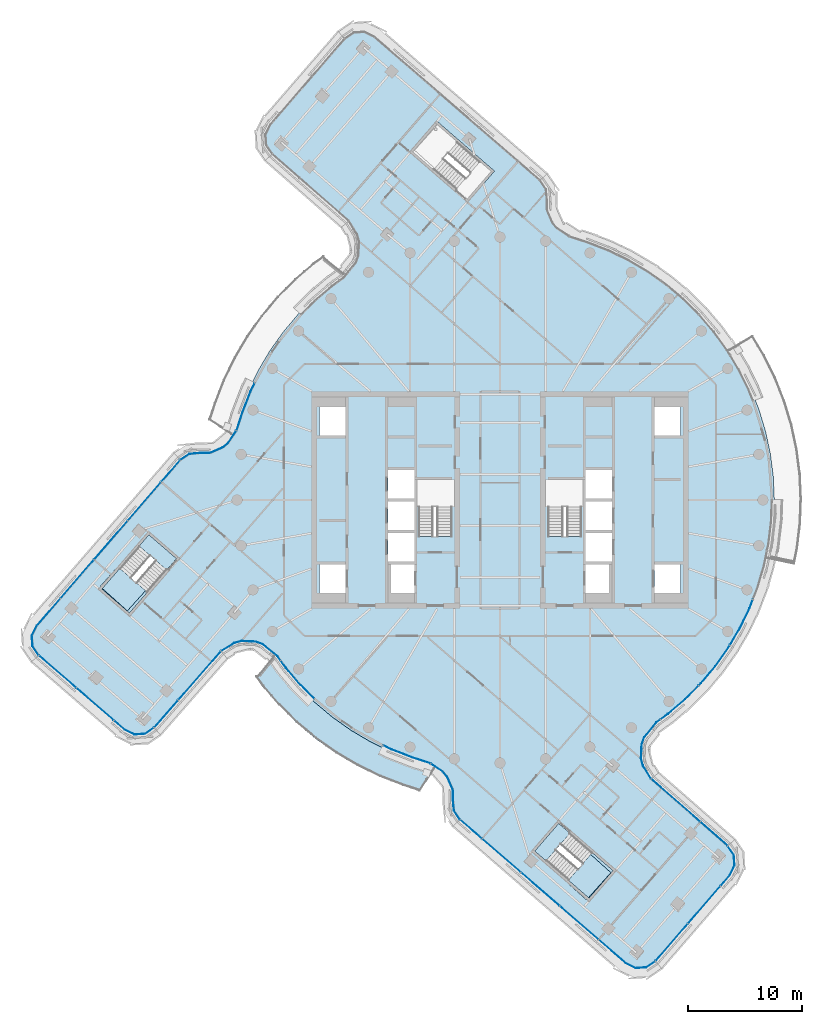
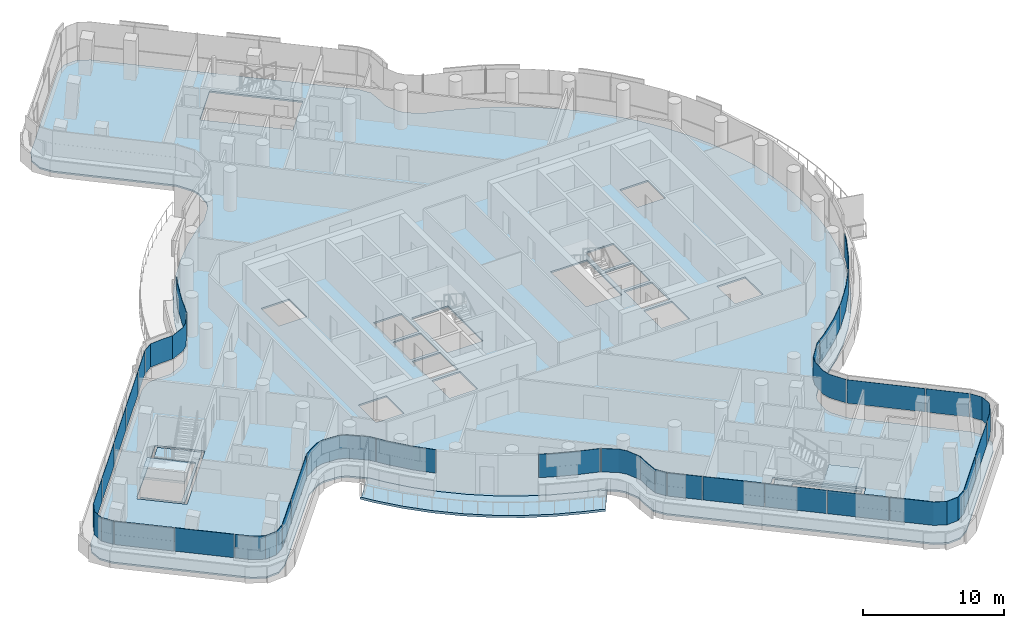
# One storey, part 17 of 32: 30 plates, 6 slabs, 11 elements without a shape of their own.
"""IFC4 building model written with IfcOpenShell, lengths in metres."""

from ifc_helpers import new_model, si_unit, direction, frame, origin, place, context, subcontext, project, spatial, polyline, outline, extrude, material, layer, layer_set, type_object, element, aggregate, save


model = new_model("IFC4")

# Units and contexts
model_context = context("Model", 3, precision=1e-05, world=origin(), true_north=direction((0.0, 1.0)))
body_context = subcontext(model_context, "Body", "Model", "MODEL_VIEW")
ifc_project = project(units=[si_unit("LENGTHUNIT", "METRE"), si_unit("AREAUNIT", "SQUARE_METRE"), si_unit("VOLUMEUNIT", "CUBIC_METRE"), si_unit("PLANEANGLEUNIT", "RADIAN"), si_unit("MASSUNIT", "GRAM", prefix="KILO")], contexts=[model_context])

# Site, building, storey
site_placement = place(None, origin())
site = spatial("IfcSite", under=ifc_project, at=site_placement, CompositionType="ELEMENT")
building_placement = place(site_placement, origin())
building = spatial("IfcBuilding", under=site, at=building_placement, Name="Tamarind Cross Interchange Tower", CompositionType="ELEMENT")
storey_placement = place(building_placement, frame((0.0, 0.0, 211.300048828125)))
storey = spatial("IfcBuildingStorey", under=building, at=storey_placement, Name="L53", CompositionType="ELEMENT", Elevation=211.300048828125)

# Slabs
ifc_material_1 = material(Name="Precast concrete C40", Category="concrete")
ifc_layer_1 = layer(ifc_material_1, 0.199951171875)
ifc_layer_set_1 = layer_set([ifc_layer_1], Name="Precast concrete C40")
slab_type_1 = type_object("IfcSlabType", Name="Balcony slab", PredefinedType="BASESLAB", material=ifc_layer_set_1)
slab_1_placement = place(storey_placement, frame((0.0, 0.0, -0.199951171875)))
element("IfcSlab", 1, at=slab_1_placement, inside=storey, type_object=slab_type_1, Name="SLB-L53-BAL02", PredefinedType="BASESLAB", context=body_context, shape_type="SweptSolid", body=[
    extrude(outline(polyline([(-19.7607421875, -13.683837890625), (-19.604736328125, -13.809326171875), (-18.87255859375, -14.820068359375), (-17.584228515625, -16.327880859375), (-16.17578125, -17.72412109375), (-14.656982421875, -18.99951171875), (-13.0380859375, -20.14501953125), (-11.329833984375, -21.15283203125), (-9.54443359375, -22.01611328125), (-7.69384765625, -22.72900390625), (-6.205322265625, -23.21533203125), (-5.78662109375, -23.488525390625), (-7.098388671875, -25.498291015625), (-7.251708984375, -25.398193359375), (-8.498291015625, -24.9912109375), (-10.499755859375, -24.219970703125), (-12.464111328125, -23.270263671875), (-14.343017578125, -22.161376953125), (-16.124267578125, -20.9013671875), (-17.795166015625, -19.498291015625), (-19.344482421875, -17.96240234375), (-20.759765625, -16.305908203125), (-21.359375, -15.47802734375), (-21.264404296875, -15.554443359375), (-19.7607421875, -13.683837890625)])), origin(), (0.0, 0.0, 1.0), 0.199951171875),
])
ifc_material_2 = material(Name="Concrete C35", Category="concrete")
ifc_layer_2 = layer(ifc_material_2, 0.139892578125)
ifc_layer_set_2 = layer_set([ifc_layer_2], Name="Concrete C35")
slab_type_2 = type_object("IfcSlabType", Name="Composite slab 140 Concrete C35", PredefinedType="FLOOR", material=ifc_layer_set_2)
slab_2_placement = place(storey_placement, frame((0.0, 0.0, -0.14013671875)))
element("IfcSlab", 2, at=slab_2_placement, inside=storey, type_object=slab_type_2, Name="Floor slab L53", PredefinedType="FLOOR", context=body_context, shape_type="SweptSolid", body=[
    extrude(outline(polyline([(-27.27099609375, 4.21728515625), (-28.102783203125, 3.64599609375), (-40.703125, -10.9033203125), (-41.1552734375, -11.834716796875), (-41.081298828125, -12.8671875), (-40.500732421875, -13.724609375), (-32.94140625, -20.271240234375), (-32.010009765625, -20.723388671875), (-30.9775390625, -20.649169921875), (-30.120361328125, -20.068603515625), (-24.2734375, -13.385986328125), (-23.14697265625, -12.686279296875), (-22.5859375, -12.540283203125), (-21.413818359375, -12.595458984375), (-20.86865234375, -12.793212890625), (-19.604736328125, -13.80908203125), (-18.87255859375, -14.820068359375), (-17.584228515625, -16.327880859375), (-16.17578125, -17.72412109375), (-14.656982421875, -18.99951171875), (-13.0380859375, -20.14501953125), (-11.329833984375, -21.15283203125), (-9.54443359375, -22.01611328125), (-7.693603515625, -22.72900390625), (-6.205322265625, -23.215087890625), (-5.138671875, -23.911376953125), (-4.77783203125, -24.336669921875), (-4.323486328125, -25.36865234375), (-4.31005859375, -26.26611328125), (-4.21728515625, -27.27099609375), (-3.64599609375, -28.102783203125), (10.9033203125, -40.703125), (11.834716796875, -41.1552734375), (12.8671875, -41.081298828125), (13.724609375, -40.500732421875), (20.271240234375, -32.94140625), (20.723388671875, -32.010009765625), (20.649169921875, -30.9775390625), (20.068603515625, -30.120361328125), (13.385986328125, -24.2734375), (12.686279296875, -23.14697265625), (12.540283203125, -22.5859375), (12.595458984375, -21.413818359375), (12.793212890625, -20.86865234375), (13.80908203125, -19.604736328125), (14.820068359375, -18.87255859375), (16.327880859375, -17.584228515625), (17.72412109375, -16.17578125), (18.99951171875, -14.656982421875), (20.14501953125, -13.0380859375), (21.15283203125, -11.329833984375), (22.01611328125, -9.54443359375), (22.72900390625, -7.693603515625), (23.286865234375, -5.79052734375), (23.685546875, -3.84765625), (23.92236328125, -1.878662109375), (23.99560546875, 0.103271484375), (23.9052734375, 2.08447265625), (23.651611328125, 4.051513671875), (23.236083984375, 5.99072265625), (22.662109375, 7.88916015625), (21.93310546875, 9.7333984375), (21.054443359375, 11.511474609375), (20.031982421875, 13.2109375), (18.87255859375, 14.820068359375), (17.584228515625, 16.327880859375), (16.17578125, 17.72412109375), (14.656982421875, 18.99951171875), (13.0380859375, 20.14501953125), (11.329833984375, 21.15283203125), (9.54443359375, 22.01611328125), (7.693603515625, 22.72900390625), (6.205322265625, 23.215087890625), (5.138671875, 23.911376953125), (4.77783203125, 24.336669921875), (4.323486328125, 25.36865234375), (4.31005859375, 26.26611328125), (4.21728515625, 27.27099609375), (3.64599609375, 28.102783203125), (-10.9033203125, 40.703125), (-11.834716796875, 41.1552734375), (-12.8671875, 41.081298828125), (-13.724609375, 40.500732421875), (-20.271240234375, 32.94140625), (-20.723388671875, 32.010009765625), (-20.649169921875, 30.9775390625), (-20.068603515625, 30.120361328125), (-13.385986328125, 24.2734375), (-12.686279296875, 23.14697265625), (-12.540283203125, 22.5859375), (-12.595458984375, 21.413818359375), (-12.793212890625, 20.86865234375), (-13.80908203125, 19.604736328125), (-14.820068359375, 18.87255859375), (-16.327880859375, 17.584228515625), (-17.72412109375, 16.17578125), (-18.99951171875, 14.656982421875), (-20.14501953125, 13.0380859375), (-21.15283203125, 11.329833984375), (-22.01611328125, 9.54443359375), (-22.72900390625, 7.693603515625), (-23.215087890625, 6.205322265625), (-23.911376953125, 5.138671875), (-24.336669921875, 4.77783203125), (-25.36865234375, 4.323486328125), (-26.26611328125, 4.31005859375), (-27.27099609375, 4.21728515625)]), holes=[polyline([(-30.58349609375, -2.884765625), (-28.164794921875, -4.9794921875), (-28.013427734375, -5.110595703125), (-32.39990234375, -10.17529296875), (-32.551025390625, -10.044189453125), (-34.969970703125, -7.94921875), (-35.12109375, -7.818359375), (-34.934326171875, -7.602783203125), (-34.97900390625, -7.562744140625), (-32.780517578125, -5.11572265625), (-30.73486328125, -2.75390625), (-30.58349609375, -2.884765625)]), polyline([(-13.5, -8.125), (-15.800048828125, -8.125), (-15.800048828125, -5.625), (-13.5, -5.625), (-13.5, -8.125)]), polyline([(-7.5, -8.125), (-9.800048828125, -8.125), (-9.800048828125, -5.625), (-7.5, -5.625), (-7.5, -8.125)]), polyline([(-7.5, -5.375), (-9.800048828125, -5.375), (-9.800048828125, -2.875), (-7.5, -2.875), (-7.5, -5.375)]), polyline([(-7.5, -2.625), (-9.800048828125, -2.625), (-9.800048828125, -0.125), (-7.5, -0.125), (-7.5, -2.625)]), polyline([(-4.199951171875, 1.800048828125), (-4.199951171875, -3.18798828125), (-7.14990234375, -3.18798828125), (-7.14990234375, 1.800048828125), (-4.199951171875, 1.800048828125)]), polyline([(-7.5, 0.125), (-9.800048828125, 0.125), (-9.800048828125, 2.625), (-7.5, 2.625), (-7.5, 0.125)]), polyline([(-13.5, 5.625), (-15.800048828125, 5.625), (-15.800048828125, 8.125), (-13.5, 8.125), (-13.5, 5.625)]), polyline([(-0.616943359375, 28.61962890625), (-2.7119140625, 26.20068359375), (-2.8427734375, 26.049560546875), (-7.907470703125, 30.435791015625), (-7.776611328125, 30.5869140625), (-5.681640625, 33.005859375), (-5.550537109375, 33.156982421875), (-5.334716796875, 32.97021484375), (-5.331298828125, 32.97412109375), (-5.11572265625, 32.780517578125), (-0.486083984375, 28.770751953125), (-0.616943359375, 28.61962890625)]), polyline([(10.17529296875, -32.39990234375), (10.044189453125, -32.551025390625), (7.94921875, -34.969970703125), (7.818359375, -35.12109375), (7.602783203125, -34.934326171875), (7.562744140625, -34.97900390625), (5.11572265625, -32.780517578125), (2.75390625, -30.73486328125), (2.884765625, -30.58349609375), (4.9794921875, -28.164794921875), (5.110595703125, -28.013427734375), (10.17529296875, -32.39990234375)]), polyline([(7.5, -5.625), (9.800048828125, -5.625), (9.800048828125, -8.125), (7.5, -8.125), (7.5, -5.625)]), polyline([(13.5, -5.625), (15.800048828125, -5.625), (15.800048828125, -8.125), (13.5, -8.125), (13.5, -5.625)]), polyline([(7.5, -2.875), (9.800048828125, -2.875), (9.800048828125, -5.375), (7.5, -5.375), (7.5, -2.875)]), polyline([(7.5, -0.125), (9.800048828125, -0.125), (9.800048828125, -2.625), (7.5, -2.625), (7.5, -0.125)]), polyline([(7.14990234375, 1.800048828125), (7.14990234375, -3.18798828125), (4.199951171875, -3.18798828125), (4.199951171875, 1.800048828125), (7.14990234375, 1.800048828125)]), polyline([(7.5, 2.625), (9.800048828125, 2.625), (9.800048828125, 0.125), (7.5, 0.125), (7.5, 2.625)]), polyline([(13.5, 8.125), (15.800048828125, 8.125), (15.800048828125, 5.625), (13.5, 5.625), (13.5, 8.125)])]), origin(), (0.0, 0.0, 1.0), 0.14013671875),
])
slab_3_placement = place(storey_placement, frame((0.0, 0.0, -0.14013671875)))
element("IfcSlab", 3, at=slab_3_placement, inside=storey, type_object=slab_type_2, Name="Floor slab L53", PredefinedType="FLOOR", context=body_context, shape_type="SweptSolid", body=[
    extrude(outline(polyline([(-34.839111328125, -7.798095703125), (-32.419921875, -9.89306640625), (-28.295654296875, -5.130859375), (-30.714599609375, -3.035888671875), (-31.573486328125, -4.027587890625), (-29.283203125, -6.01123046875), (-32.5986328125, -9.701416015625), (-34.78564453125, -7.736572265625), (-34.839111328125, -7.798095703125)])), origin(), (0.0, 0.0, 1.0), 0.14013671875),
])
slab_4_placement = place(storey_placement, frame((0.0, 0.0, -0.14013671875)))
element("IfcSlab", 4, at=slab_4_placement, inside=storey, type_object=slab_type_2, Name="Floor slab L53", PredefinedType="FLOOR", context=body_context, shape_type="SweptSolid", body=[
    extrude(outline(polyline([(7.736572265625, -34.78564453125), (7.798095703125, -34.839111328125), (9.89306640625, -32.419921875), (5.130859375, -28.295654296875), (3.035888671875, -30.714599609375), (4.027587890625, -31.573486328125), (6.01123046875, -29.283203125), (9.701416015625, -32.5986328125), (7.736572265625, -34.78564453125)])), origin(), (0.0, 0.0, 1.0), 0.14013671875),
])

# Stair, slab
ifc_material_3 = material(Name="Exit stair")
stair_type = type_object("IfcStairType", Name="Exit stair", PredefinedType="HALF_TURN_STAIR", material=ifc_material_3)
stair_1_placement = place(storey_placement, origin())
stair_1 = element("IfcStair", 5, at=stair_1_placement, inside=storey, type_object=stair_type, Name="L53 exit stair ST5", PredefinedType="HALF_TURN_STAIR")
ifc_material_4 = material(Name="Concrete C40", Category="concrete")
ifc_layer_3 = layer(ifc_material_4, 0.199951171875)
ifc_layer_set_3 = layer_set([ifc_layer_3], Name="Concrete C40")
slab_type_3 = type_object("IfcSlabType", Name="Stair landing", PredefinedType="LANDING", material=ifc_layer_set_3)
slab_5_placement = place(storey_placement, frame((0.0, 0.0, 1.599853515625)))
slab_5 = element("IfcSlab", 6, at=slab_5_placement, type_object=slab_type_3, Name="ST5 landing 1", PredefinedType="LANDING", context=body_context, shape_type="SweptSolid", body=[
    extrude(outline(polyline([(-33.260009765625, -5.974853515625), (-34.8388671875, -7.798095703125), (-32.419921875, -9.89306640625), (-30.841064453125, -8.06982421875), (-33.260009765625, -5.974853515625)])), origin(), (0.0, 0.0, 1.0), 0.2001953125),
])
aggregate(stair_1, [slab_5])

stair_2_placement = place(storey_placement, origin())
stair_2 = element("IfcStair", 7, at=stair_2_placement, inside=storey, type_object=stair_type, Name="L53 exit stair ST6", PredefinedType="HALF_TURN_STAIR")
slab_6_placement = place(storey_placement, frame((0.0, 0.0, 1.599853515625)))
slab_6 = element("IfcSlab", 8, at=slab_6_placement, type_object=slab_type_3, Name="ST6 landing 1", PredefinedType="LANDING", context=body_context, shape_type="SweptSolid", body=[
    extrude(outline(polyline([(5.974853515625, -33.260009765625), (7.798095703125, -34.8388671875), (9.89306640625, -32.419921875), (8.06982421875, -30.841064453125), (5.974853515625, -33.260009765625)])), origin(), (0.0, 0.0, 1.0), 0.2001953125),
])
aggregate(stair_2, [slab_6])

# Curtain wall, plates
ifc_material_5 = material(Name="Aluminium 6063-T6", Category="aluminium")
ifc_layer_4 = layer(ifc_material_5, 0.139892578125)
ifc_layer_set_4 = layer_set([ifc_layer_4], Name="Aluminium 6063-T6")
curtain_wall_type = type_object("IfcCurtainWallType", Name="Hotel curtain wall, 4.5 m bays", PredefinedType="NOTDEFINED", material=ifc_layer_set_4)
curtain_wall_1_placement = place(storey_placement, origin())
curtain_wall_1 = element("IfcCurtainWall", 9, at=curtain_wall_1_placement, inside=storey, type_object=curtain_wall_type, Name="CWS-L53-00", PredefinedType="NOTDEFINED")
ifc_material_6 = material(Name="Laminated low-e glass 6+1.52+6", Category="glass")
ifc_layer_5 = layer(ifc_material_6, 0.02392578125)
ifc_layer_set_5 = layer_set([ifc_layer_5], Name="Laminated low-e glass 6+1.52+6")
plate_type = type_object("IfcPlateType", Name="Vision panel CW2", PredefinedType="CURTAIN_PANEL", material=ifc_layer_set_5)
plate_1_placement = place(storey_placement, frame((0.0, 0.0, 1.39990234375)))
plate_1 = element("IfcPlate", 10, at=plate_1_placement, type_object=plate_type, Name="CWP-L53-00-00", PredefinedType="CURTAIN_PANEL", context=body_context, shape_type="SweptSolid", body=[
    extrude(outline(polyline([(-40.3193359375, -13.60107421875), (-37.079833984375, -16.40673828125), (-37.095458984375, -16.4248046875), (-40.3349609375, -13.619140625), (-40.3193359375, -13.60107421875)])), origin(), (0.0, 0.0, 1.0), 2.02001953125),
])
plate_2_placement = place(storey_placement, frame((0.0, 0.0, 1.39990234375)))
plate_2 = element("IfcPlate", 11, at=plate_2_placement, type_object=plate_type, Name="CWP-L53-00-01", PredefinedType="CURTAIN_PANEL", context=body_context, shape_type="SweptSolid", body=[
    extrude(outline(polyline([(-37.034423828125, -16.446044921875), (-33.794921875, -19.251708984375), (-33.810546875, -19.269775390625), (-37.050048828125, -16.464111328125), (-37.034423828125, -16.446044921875)])), origin(), (0.0, 0.0, 1.0), 2.02001953125),
])
plate_3_placement = place(storey_placement, frame((0.0, 0.0, 1.39990234375)))
plate_3 = element("IfcPlate", 12, at=plate_3_placement, type_object=plate_type, Name="CWP-L53-00-02", PredefinedType="CURTAIN_PANEL", context=body_context, shape_type="SweptSolid", body=[
    extrude(outline(polyline([(-33.74951171875, -19.291015625), (-32.82373046875, -20.092529296875), (-31.96875, -20.5078125), (-31.04931640625, -20.441650390625), (-30.285400390625, -19.92431640625), (-30.27197265625, -19.9443359375), (-31.041259765625, -20.46533203125), (-31.973388671875, -20.5322265625), (-32.837158203125, -20.11279296875), (-33.76513671875, -19.30908203125), (-33.74951171875, -19.291015625)])), origin(), (0.0, 0.0, 1.0), 2.02001953125),
])
aggregate(curtain_wall_1, [plate_1, plate_2, plate_3])

curtain_wall_2_placement = place(storey_placement, origin())
curtain_wall_2 = element("IfcCurtainWall", 13, at=curtain_wall_2_placement, inside=storey, type_object=curtain_wall_type, Name="CWS-L53-01", PredefinedType="NOTDEFINED")
plate_4_placement = place(storey_placement, frame((0.0, 0.0, 1.39990234375)))
plate_4 = element("IfcPlate", 14, at=plate_4_placement, type_object=plate_type, Name="CWP-L53-01-00", PredefinedType="CURTAIN_PANEL", context=body_context, shape_type="SweptSolid", body=[
    extrude(outline(polyline([(-30.2431640625, -19.886962890625), (-28.18359375, -17.533203125), (-28.16552734375, -17.548828125), (-30.22509765625, -19.90283203125), (-30.2431640625, -19.886962890625)])), origin(), (0.0, 0.0, 1.0), 2.02001953125),
])
plate_5_placement = place(storey_placement, frame((0.0, 0.0, 1.39990234375)))
plate_5 = element("IfcPlate", 15, at=plate_5_placement, type_object=plate_type, Name="CWP-L53-01-01", PredefinedType="CURTAIN_PANEL", context=body_context, shape_type="SweptSolid", body=[
    extrude(outline(polyline([(-28.14404296875, -17.488037109375), (-24.43310546875, -13.24658203125), (-24.4150390625, -13.26220703125), (-28.1259765625, -17.503662109375), (-28.14404296875, -17.488037109375)])), origin(), (0.0, 0.0, 1.0), 2.02001953125),
])
aggregate(curtain_wall_2, [plate_4, plate_5])

curtain_wall_3_placement = place(storey_placement, origin())
curtain_wall_3 = element("IfcCurtainWall", 16, at=curtain_wall_3_placement, inside=storey, type_object=curtain_wall_type, Name="CWS-L53-02", PredefinedType="NOTDEFINED")
plate_6_placement = place(storey_placement, frame((0.0, 0.0, 1.39990234375)))
plate_6 = element("IfcPlate", 17, at=plate_6_placement, type_object=plate_type, Name="CWP-L53-02-00", PredefinedType="CURTAIN_PANEL", context=body_context, shape_type="SweptSolid", body=[
    extrude(outline(polyline([(-24.38525390625, -13.205810546875), (-23.2314453125, -12.4892578125), (-22.608154296875, -12.3271484375), (-21.37158203125, -12.385009765625), (-20.763427734375, -12.60595703125), (-19.44970703125, -13.661865234375), (-19.205322265625, -13.999267578125), (-19.224853515625, -14.01318359375), (-19.46728515625, -13.678466796875), (-20.775146484375, -12.627197265625), (-21.37646484375, -12.408935546875), (-22.60546875, -12.351318359375), (-23.221923828125, -12.51171875), (-24.37255859375, -13.226318359375), (-24.38525390625, -13.205810546875)])), origin(), (0.0, 0.0, 1.0), 2.02001953125),
])
plate_7_placement = place(storey_placement, frame((0.0, 0.0, 1.39990234375)))
plate_7 = element("IfcPlate", 18, at=plate_7_placement, type_object=plate_type, Name="CWP-L53-02-01", PredefinedType="CURTAIN_PANEL", context=body_context, shape_type="SweptSolid", body=[
    extrude(outline(polyline([(-19.170166015625, -14.0478515625), (-18.705810546875, -14.688720703125), (-17.4287109375, -16.183349609375), (-16.244873046875, -17.357177734375), (-16.26171875, -17.374267578125), (-17.4462890625, -16.19970703125), (-18.724853515625, -14.70361328125), (-19.189453125, -14.061767578125), (-19.170166015625, -14.0478515625)])), origin(), (0.0, 0.0, 1.0), 2.02001953125),
])
plate_8_placement = place(storey_placement, frame((0.0, 0.0, 1.39990234375)))
plate_8 = element("IfcPlate", 19, at=plate_8_placement, type_object=plate_type, Name="CWP-L53-02-03", PredefinedType="CURTAIN_PANEL", context=body_context, shape_type="SweptSolid", body=[
    extrude(outline(polyline([(-10.216064453125, -21.455810546875), (-9.4599609375, -21.821533203125), (-7.62255859375, -22.529296875), (-6.11279296875, -23.0224609375), (-6.0791015625, -23.04443359375), (-6.092041015625, -23.064697265625), (-6.123291015625, -23.044189453125), (-7.630615234375, -22.552001953125), (-9.469482421875, -21.843505859375), (-10.2265625, -21.4775390625), (-10.216064453125, -21.455810546875)])), origin(), (0.0, 0.0, 1.0), 2.02001953125),
])
plate_9_placement = place(storey_placement, frame((0.0, 0.0, 1.39990234375)))
plate_9 = element("IfcPlate", 20, at=plate_9_placement, type_object=plate_type, Name="CWP-L53-02-04", PredefinedType="CURTAIN_PANEL", context=body_context, shape_type="SweptSolid", body=[
    extrude(outline(polyline([(-6.02880859375, -23.077392578125), (-4.996826171875, -23.750732421875), (-4.59619140625, -24.22314453125), (-4.112060546875, -25.322509765625), (-4.09814453125, -26.2548828125), (-4.01123046875, -27.196533203125), (-3.502685546875, -27.936767578125), (-3.5224609375, -27.950439453125), (-4.03466796875, -27.204833984375), (-4.1220703125, -26.256103515625), (-4.135986328125, -25.32763671875), (-4.61669921875, -24.23583984375), (-5.012939453125, -23.76904296875), (-6.0419921875, -23.097412109375), (-6.02880859375, -23.077392578125)])), origin(), (0.0, 0.0, 1.0), 2.02001953125),
])
aggregate(curtain_wall_3, [plate_6, plate_7, plate_8, plate_9])

curtain_wall_4_placement = place(storey_placement, origin())
curtain_wall_4 = element("IfcCurtainWall", 21, at=curtain_wall_4_placement, inside=storey, type_object=curtain_wall_type, Name="CWS-L53-03", PredefinedType="NOTDEFINED")
plate_10_placement = place(storey_placement, frame((0.0, 0.0, 1.39990234375)))
plate_10 = element("IfcPlate", 22, at=plate_10_placement, type_object=plate_type, Name="CWP-L53-03-00", PredefinedType="CURTAIN_PANEL", context=body_context, shape_type="SweptSolid", body=[
    extrude(outline(polyline([(-3.465087890625, -27.978759765625), (-1.579833984375, -29.611572265625), (-1.595703125, -29.629638671875), (-3.480712890625, -27.9970703125), (-3.465087890625, -27.978759765625)])), origin(), (0.0, 0.0, 1.0), 2.02001953125),
])
plate_11_placement = place(storey_placement, frame((0.0, 0.0, 1.39990234375)))
plate_11 = element("IfcPlate", 23, at=plate_11_placement, type_object=plate_type, Name="CWP-L53-03-01", PredefinedType="CURTAIN_PANEL", context=body_context, shape_type="SweptSolid", body=[
    extrude(outline(polyline([(-1.53466796875, -29.65087890625), (1.8125, -32.549560546875), (1.796875, -32.567626953125), (-1.55029296875, -29.6689453125), (-1.53466796875, -29.65087890625)])), origin(), (0.0, 0.0, 1.0), 2.02001953125),
])
plate_12_placement = place(storey_placement, frame((0.0, 0.0, 1.39990234375)))
plate_12 = element("IfcPlate", 24, at=plate_12_placement, type_object=plate_type, Name="CWP-L53-03-02", PredefinedType="CURTAIN_PANEL", context=body_context, shape_type="SweptSolid", body=[
    extrude(outline(polyline([(1.85791015625, -32.5888671875), (5.205078125, -35.487548828125), (5.189208984375, -35.505859375), (1.84228515625, -32.60693359375), (1.85791015625, -32.5888671875)])), origin(), (0.0, 0.0, 1.0), 2.02001953125),
])
plate_13_placement = place(storey_placement, frame((0.0, 0.0, 1.39990234375)))
plate_13 = element("IfcPlate", 25, at=plate_13_placement, type_object=plate_type, Name="CWP-L53-03-03", PredefinedType="CURTAIN_PANEL", context=body_context, shape_type="SweptSolid", body=[
    extrude(outline(polyline([(5.250244140625, -35.52685546875), (8.597412109375, -38.42578125), (8.581787109375, -38.44384765625), (5.234619140625, -35.545166015625), (5.250244140625, -35.52685546875)])), origin(), (0.0, 0.0, 1.0), 2.02001953125),
])
plate_14_placement = place(storey_placement, frame((0.0, 0.0, 1.39990234375)))
plate_14 = element("IfcPlate", 26, at=plate_14_placement, type_object=plate_type, Name="CWP-L53-03-04", PredefinedType="CURTAIN_PANEL", context=body_context, shape_type="SweptSolid", body=[
    extrude(outline(polyline([(8.642822265625, -38.46484375), (11.02099609375, -40.524658203125), (11.876220703125, -40.939697265625), (12.79541015625, -40.873779296875), (13.55908203125, -40.356689453125), (13.572509765625, -40.37646484375), (12.803466796875, -40.897216796875), (11.871337890625, -40.964111328125), (11.007568359375, -40.544921875), (8.626953125, -38.483154296875), (8.642822265625, -38.46484375)])), origin(), (0.0, 0.0, 1.0), 2.02001953125),
])
aggregate(curtain_wall_4, [plate_10, plate_11, plate_12, plate_13, plate_14])

curtain_wall_5_placement = place(storey_placement, origin())
curtain_wall_5 = element("IfcCurtainWall", 27, at=curtain_wall_5_placement, inside=storey, type_object=curtain_wall_type, Name="CWS-L53-04", PredefinedType="NOTDEFINED")
plate_15_placement = place(storey_placement, frame((0.0, 0.0, 1.39990234375)))
plate_15 = element("IfcPlate", 28, at=plate_15_placement, type_object=plate_type, Name="CWP-L53-04-00", PredefinedType="CURTAIN_PANEL", context=body_context, shape_type="SweptSolid", body=[
    extrude(outline(polyline([(13.60107421875, -40.3193359375), (16.40673828125, -37.079833984375), (16.4248046875, -37.095458984375), (13.619140625, -40.3349609375), (13.60107421875, -40.3193359375)])), origin(), (0.0, 0.0, 1.0), 2.02001953125),
])
plate_16_placement = place(storey_placement, frame((0.0, 0.0, 1.39990234375)))
plate_16 = element("IfcPlate", 29, at=plate_16_placement, type_object=plate_type, Name="CWP-L53-04-01", PredefinedType="CURTAIN_PANEL", context=body_context, shape_type="SweptSolid", body=[
    extrude(outline(polyline([(16.446044921875, -37.034423828125), (19.251708984375, -33.794921875), (19.269775390625, -33.810546875), (16.464111328125, -37.050048828125), (16.446044921875, -37.034423828125)])), origin(), (0.0, 0.0, 1.0), 2.02001953125),
])
plate_17_placement = place(storey_placement, frame((0.0, 0.0, 1.39990234375)))
plate_17 = element("IfcPlate", 30, at=plate_17_placement, type_object=plate_type, Name="CWP-L53-04-02", PredefinedType="CURTAIN_PANEL", context=body_context, shape_type="SweptSolid", body=[
    extrude(outline(polyline([(19.291015625, -33.74951171875), (20.092529296875, -32.82373046875), (20.5078125, -31.96875), (20.441650390625, -31.04931640625), (19.92431640625, -30.285400390625), (19.9443359375, -30.27197265625), (20.46533203125, -31.041259765625), (20.5322265625, -31.973388671875), (20.11279296875, -32.837158203125), (19.30908203125, -33.76513671875), (19.291015625, -33.74951171875)])), origin(), (0.0, 0.0, 1.0), 2.02001953125),
])
aggregate(curtain_wall_5, [plate_15, plate_16, plate_17])

curtain_wall_6_placement = place(storey_placement, origin())
curtain_wall_6 = element("IfcCurtainWall", 31, at=curtain_wall_6_placement, inside=storey, type_object=curtain_wall_type, Name="CWS-L53-05", PredefinedType="NOTDEFINED")
plate_18_placement = place(storey_placement, frame((0.0, 0.0, 1.39990234375)))
plate_18 = element("IfcPlate", 32, at=plate_18_placement, type_object=plate_type, Name="CWP-L53-05-00", PredefinedType="CURTAIN_PANEL", context=body_context, shape_type="SweptSolid", body=[
    extrude(outline(polyline([(19.886962890625, -30.2431640625), (17.533203125, -28.18359375), (17.548828125, -28.16552734375), (19.90283203125, -30.22509765625), (19.886962890625, -30.2431640625)])), origin(), (0.0, 0.0, 1.0), 2.02001953125),
])
plate_19_placement = place(storey_placement, frame((0.0, 0.0, 1.39990234375)))
plate_19 = element("IfcPlate", 33, at=plate_19_placement, type_object=plate_type, Name="CWP-L53-05-01", PredefinedType="CURTAIN_PANEL", context=body_context, shape_type="SweptSolid", body=[
    extrude(outline(polyline([(17.488037109375, -28.14404296875), (13.24658203125, -24.43310546875), (13.26220703125, -24.4150390625), (17.503662109375, -28.1259765625), (17.488037109375, -28.14404296875)])), origin(), (0.0, 0.0, 1.0), 2.02001953125),
])
aggregate(curtain_wall_6, [plate_18, plate_19])

curtain_wall_7_placement = place(storey_placement, origin())
curtain_wall_7 = element("IfcCurtainWall", 34, at=curtain_wall_7_placement, inside=storey, type_object=curtain_wall_type, Name="CWS-L53-06", PredefinedType="NOTDEFINED")
plate_20_placement = place(storey_placement, frame((0.0, 0.0, 1.39990234375)))
plate_20 = element("IfcPlate", 35, at=plate_20_placement, type_object=plate_type, Name="CWP-L53-06-00", PredefinedType="CURTAIN_PANEL", context=body_context, shape_type="SweptSolid", body=[
    extrude(outline(polyline([(13.205810546875, -24.38525390625), (12.4892578125, -23.2314453125), (12.3271484375, -22.608154296875), (12.385009765625, -21.37158203125), (12.60595703125, -20.763427734375), (13.661865234375, -19.44970703125), (13.999267578125, -19.205322265625), (14.01318359375, -19.224853515625), (13.678466796875, -19.46728515625), (12.627197265625, -20.775146484375), (12.408935546875, -21.37646484375), (12.351318359375, -22.60546875), (12.51171875, -23.221923828125), (13.226318359375, -24.37255859375), (13.205810546875, -24.38525390625)])), origin(), (0.0, 0.0, 1.0), 2.02001953125),
])
plate_21_placement = place(storey_placement, frame((0.0, 0.0, 1.39990234375)))
plate_21 = element("IfcPlate", 36, at=plate_21_placement, type_object=plate_type, Name="CWP-L53-06-01", PredefinedType="CURTAIN_PANEL", context=body_context, shape_type="SweptSolid", body=[
    extrude(outline(polyline([(14.0478515625, -19.170166015625), (14.688720703125, -18.705810546875), (16.183349609375, -17.4287109375), (17.357177734375, -16.244873046875), (17.374267578125, -16.26171875), (16.19970703125, -17.4462890625), (14.70361328125, -18.724853515625), (14.061767578125, -19.189453125), (14.0478515625, -19.170166015625)])), origin(), (0.0, 0.0, 1.0), 2.02001953125),
])
plate_22_placement = place(storey_placement, frame((0.0, 0.0, 1.39990234375)))
plate_22 = element("IfcPlate", 37, at=plate_22_placement, type_object=plate_type, Name="CWP-L53-06-02", PredefinedType="CURTAIN_PANEL", context=body_context, shape_type="SweptSolid", body=[
    extrude(outline(polyline([(17.3994140625, -16.202392578125), (17.5673828125, -16.032958984375), (18.83154296875, -14.52734375), (19.966796875, -12.922607421875), (20.08544921875, -12.7216796875), (20.106201171875, -12.73388671875), (19.987060546875, -12.935791015625), (18.850341796875, -14.5419921875), (17.585205078125, -16.049072265625), (17.41650390625, -16.21923828125), (17.3994140625, -16.202392578125)])), origin(), (0.0, 0.0, 1.0), 2.02001953125),
])
plate_23_placement = place(storey_placement, frame((0.0, 0.0, 1.39990234375)))
plate_23 = element("IfcPlate", 38, at=plate_23_placement, type_object=plate_type, Name="CWP-L53-06-03", PredefinedType="CURTAIN_PANEL", context=body_context, shape_type="SweptSolid", body=[
    extrude(outline(polyline([(20.115966796875, -12.669921875), (20.9658203125, -11.229736328125), (21.821533203125, -9.4599609375), (22.09716796875, -8.744140625), (22.11962890625, -8.752685546875), (21.843505859375, -9.469482421875), (20.98681640625, -11.240966796875), (20.136474609375, -12.68212890625), (20.115966796875, -12.669921875)])), origin(), (0.0, 0.0, 1.0), 2.02001953125),
])
aggregate(curtain_wall_7, [plate_20, plate_21, plate_22, plate_23])

curtain_wall_8_placement = place(storey_placement, origin())
curtain_wall_8 = element("IfcCurtainWall", 39, at=curtain_wall_8_placement, inside=storey, type_object=curtain_wall_type, Name="CWS-L53-10", PredefinedType="NOTDEFINED")
plate_24_placement = place(storey_placement, frame((0.0, 0.0, 1.39990234375)))
plate_24 = element("IfcPlate", 40, at=plate_24_placement, type_object=plate_type, Name="CWP-L53-10-03", PredefinedType="CURTAIN_PANEL", context=body_context, shape_type="SweptSolid", body=[
    extrude(outline(polyline([(-21.455810546875, 10.216064453125), (-21.821533203125, 9.4599609375), (-22.529296875, 7.62255859375), (-23.0224609375, 6.11279296875), (-23.04443359375, 6.0791015625), (-23.064697265625, 6.092041015625), (-23.044189453125, 6.123291015625), (-22.552001953125, 7.630615234375), (-21.843505859375, 9.469482421875), (-21.4775390625, 10.2265625), (-21.455810546875, 10.216064453125)])), origin(), (0.0, 0.0, 1.0), 2.02001953125),
])
plate_25_placement = place(storey_placement, frame((0.0, 0.0, 1.39990234375)))
plate_25 = element("IfcPlate", 41, at=plate_25_placement, type_object=plate_type, Name="CWP-L53-10-04", PredefinedType="CURTAIN_PANEL", context=body_context, shape_type="SweptSolid", body=[
    extrude(outline(polyline([(-23.077392578125, 6.02880859375), (-23.750732421875, 4.996826171875), (-24.22314453125, 4.59619140625), (-25.322509765625, 4.112060546875), (-26.2548828125, 4.09814453125), (-27.196533203125, 4.01123046875), (-27.936767578125, 3.502685546875), (-27.950439453125, 3.5224609375), (-27.204833984375, 4.03466796875), (-26.256103515625, 4.1220703125), (-25.32763671875, 4.135986328125), (-24.23583984375, 4.61669921875), (-23.76904296875, 5.012939453125), (-23.097412109375, 6.0419921875), (-23.077392578125, 6.02880859375)])), origin(), (0.0, 0.0, 1.0), 2.02001953125),
])
aggregate(curtain_wall_8, [plate_24, plate_25])

curtain_wall_9_placement = place(storey_placement, origin())
curtain_wall_9 = element("IfcCurtainWall", 42, at=curtain_wall_9_placement, inside=storey, type_object=curtain_wall_type, Name="CWS-L53-11", PredefinedType="NOTDEFINED")
plate_26_placement = place(storey_placement, frame((0.0, 0.0, 1.39990234375)))
plate_26 = element("IfcPlate", 43, at=plate_26_placement, type_object=plate_type, Name="CWP-L53-11-00", PredefinedType="CURTAIN_PANEL", context=body_context, shape_type="SweptSolid", body=[
    extrude(outline(polyline([(-27.978759765625, 3.465087890625), (-29.611572265625, 1.579833984375), (-29.629638671875, 1.595703125), (-27.9970703125, 3.480712890625), (-27.978759765625, 3.465087890625)])), origin(), (0.0, 0.0, 1.0), 2.02001953125),
])
plate_27_placement = place(storey_placement, frame((0.0, 0.0, 1.39990234375)))
plate_27 = element("IfcPlate", 44, at=plate_27_placement, type_object=plate_type, Name="CWP-L53-11-01", PredefinedType="CURTAIN_PANEL", context=body_context, shape_type="SweptSolid", body=[
    extrude(outline(polyline([(-29.65087890625, 1.53466796875), (-32.549560546875, -1.8125), (-32.567626953125, -1.796875), (-29.6689453125, 1.55029296875), (-29.65087890625, 1.53466796875)])), origin(), (0.0, 0.0, 1.0), 2.02001953125),
])
plate_28_placement = place(storey_placement, frame((0.0, 0.0, 1.39990234375)))
plate_28 = element("IfcPlate", 45, at=plate_28_placement, type_object=plate_type, Name="CWP-L53-11-02", PredefinedType="CURTAIN_PANEL", context=body_context, shape_type="SweptSolid", body=[
    extrude(outline(polyline([(-32.5888671875, -1.85791015625), (-35.487548828125, -5.205078125), (-35.505859375, -5.189208984375), (-32.60693359375, -1.84228515625), (-32.5888671875, -1.85791015625)])), origin(), (0.0, 0.0, 1.0), 2.02001953125),
])
plate_29_placement = place(storey_placement, frame((0.0, 0.0, 1.39990234375)))
plate_29 = element("IfcPlate", 46, at=plate_29_placement, type_object=plate_type, Name="CWP-L53-11-03", PredefinedType="CURTAIN_PANEL", context=body_context, shape_type="SweptSolid", body=[
    extrude(outline(polyline([(-35.52685546875, -5.250244140625), (-38.42578125, -8.597412109375), (-38.44384765625, -8.581787109375), (-35.545166015625, -5.234619140625), (-35.52685546875, -5.250244140625)])), origin(), (0.0, 0.0, 1.0), 2.02001953125),
])
plate_30_placement = place(storey_placement, frame((0.0, 0.0, 1.39990234375)))
plate_30 = element("IfcPlate", 47, at=plate_30_placement, type_object=plate_type, Name="CWP-L53-11-04", PredefinedType="CURTAIN_PANEL", context=body_context, shape_type="SweptSolid", body=[
    extrude(outline(polyline([(-38.46484375, -8.642822265625), (-40.524658203125, -11.02099609375), (-40.939697265625, -11.876220703125), (-40.873779296875, -12.79541015625), (-40.356689453125, -13.55908203125), (-40.37646484375, -13.572509765625), (-40.897216796875, -12.803466796875), (-40.964111328125, -11.871337890625), (-40.544921875, -11.007568359375), (-38.483154296875, -8.626953125), (-38.46484375, -8.642822265625)])), origin(), (0.0, 0.0, 1.0), 2.02001953125),
])
aggregate(curtain_wall_9, [plate_26, plate_27, plate_28, plate_29, plate_30])

save(model, "model.ifc")
